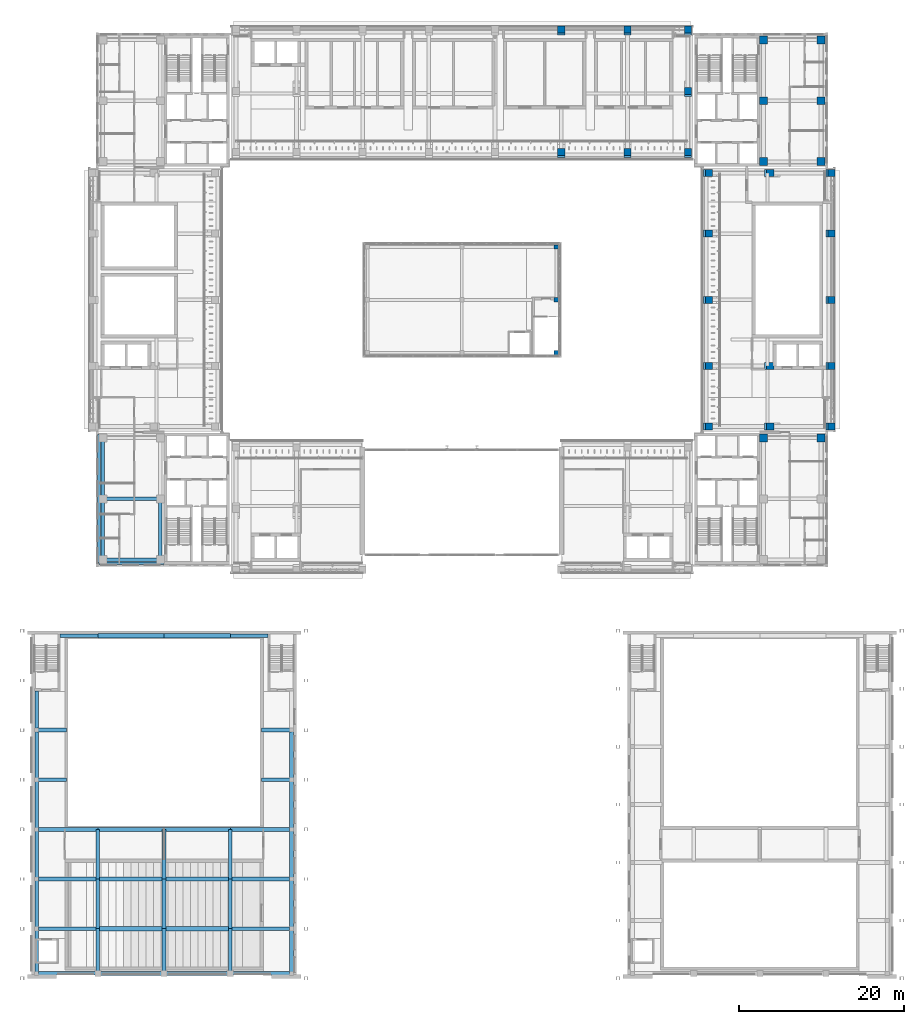
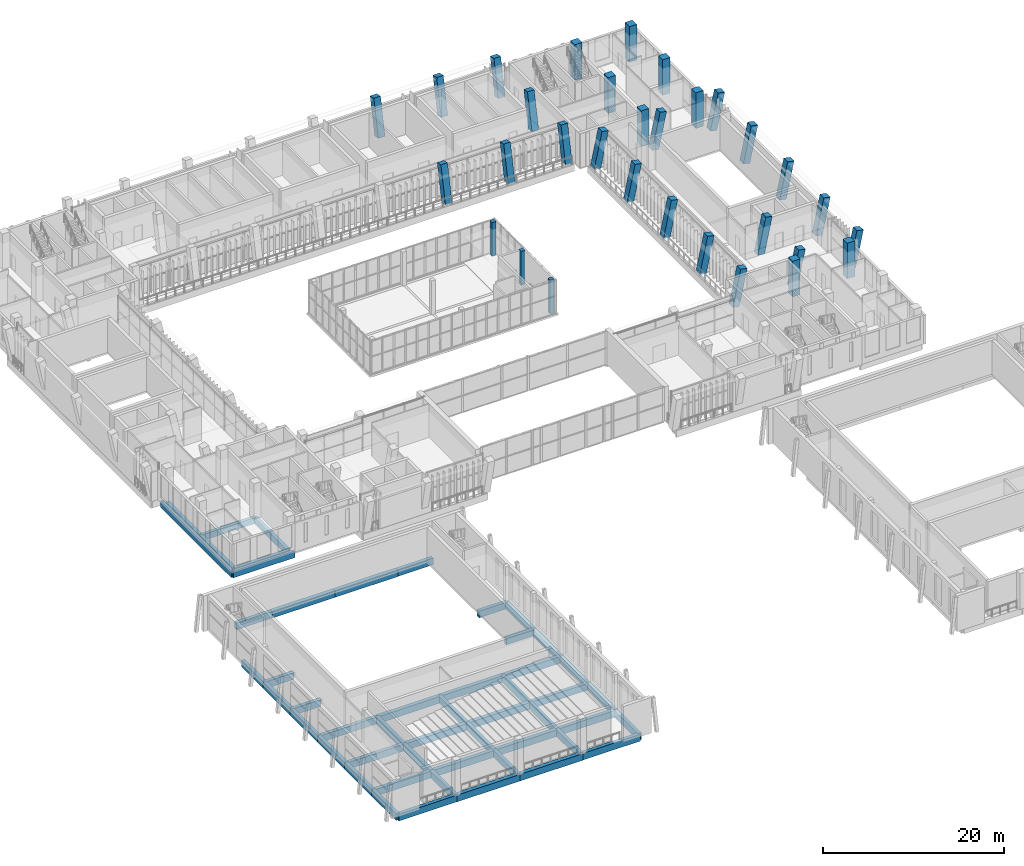
# One storey, part 5 of 92: 51 beams, 31 columns.
"""IFC4 building model written with IfcOpenShell, lengths in metres."""

from ifc_helpers import new_model, si_unit, direction, frame, origin, origin_2d, place, context, subcontext, project, spatial, rectangle, extrude, material, material_profile, profile_set, type_object, element, save


model = new_model("IFC4")

# Units and contexts
model_context = context("Model", 3, precision=1e-05, world=origin(), true_north=direction((0.0, 1.0)))
body_context = subcontext(model_context, "Body", "Model", "MODEL_VIEW")
ifc_project = project(units=[si_unit("LENGTHUNIT", "METRE"), si_unit("AREAUNIT", "SQUARE_METRE"), si_unit("VOLUMEUNIT", "CUBIC_METRE"), si_unit("PLANEANGLEUNIT", "RADIAN"), si_unit("MASSUNIT", "GRAM", prefix="KILO")], contexts=[model_context])

# Site, building, storey
site_placement = place(None, origin())
site = spatial("IfcSite", under=ifc_project, at=site_placement, CompositionType="ELEMENT")
building_placement = place(site_placement, origin())
building = spatial("IfcBuilding", under=site, at=building_placement, Name="Lantern Court Media Centre", CompositionType="ELEMENT")
storey_placement = place(building_placement, frame((0.0, 0.0, 4.800048828125)))
storey = spatial("IfcBuildingStorey", under=building, at=storey_placement, Name="L01", CompositionType="ELEMENT", Elevation=4.800048828125)

# Columns
ifc_material = material(Name="Concrete C35", Category="concrete")
ifc_material_profile_1 = material_profile(ifc_material, rectangle(XDim=0.5, YDim=0.5, at=origin_2d()), Name="RC 500x500")
ifc_profile_set_1 = profile_set([ifc_material_profile_1], Name="Concrete C35")
column_type_1 = type_object("IfcColumnType", Name="RC COLUMN 500x500", PredefinedType="COLUMN", material=ifc_profile_set_1)
for number, where, z_axis, x_axis, name in (
    (1, (63.39990234375, 73.60009765625, 0.0), (0.0, 0.0, 1.0), (1.0, 0.0, 0.0), "C-PRESS-20-L01"),
    (2, (63.39990234375, 80.0, 0.0), (0.0, 0.0, 1.0), (1.0, 0.0, 0.0), "C-PRESS-21-L01"),
    (3, (63.39990234375, 86.39990234375, 0.0), (0.0, 0.0, 1.0), (1.0, 0.0, 0.0), "C-PRESS-22-L01"),
):
    element("IfcColumn", number, at=place(storey_placement, frame(where, z_axis=z_axis, x_axis=x_axis)), inside=storey, type_object=column_type_1, Name=name, PredefinedType="COLUMN", context=body_context, shape_type="SweptSolid", body=[
        extrude(rectangle(XDim=0.5, YDim=0.5, at=origin_2d()), origin(), (0.0, 0.0, 1.0), 4.550048828125),
    ])
ifc_material_profile_2 = material_profile(ifc_material, rectangle(XDim=0.85009765625, YDim=0.85009765625, at=origin_2d()), Name="RC 850x850")
ifc_profile_set_2 = profile_set([ifc_material_profile_2], Name="Concrete C35")
column_type_2 = type_object("IfcColumnType", Name="RC COLUMN 850x850", PredefinedType="COLUMN", material=ifc_profile_set_2)
for number, where, z_axis, x_axis, name in (
    (4, (64.0, 97.60009765625, 0.0), (0.0, 0.203952265704, 0.978980833987), (-1.0, 0.0, 0.0), "C-N-0-5-L01"),
    (5, (72.0, 97.60009765625, 0.0), (0.0, 0.203952265704, 0.978980833987), (-1.0, 0.0, 0.0), "C-N-0-6-L01"),
    (6, (79.300048828125, 97.60009765625, 0.0), (0.0, 0.203952265704, 0.978980833987), (-1.0, 0.0, 0.0), "C-N-0-7-L01"),
    (7, (79.300048828125, 105.0, 0.0), (0.0, 0.203952265704, 0.978980833987), (-1.0, 0.0, 0.0), "C-N-1-7-L01"),
    (8, (64.0, 112.39990234375, 0.0), (0.0, 0.203952265704, 0.978980833987), (-1.0, 0.0, 0.0), "C-N-2-5-L01"),
    (9, (72.0, 112.39990234375, 0.0), (0.0, 0.203952265704, 0.978980833987), (-1.0, 0.0, 0.0), "C-N-2-6-L01"),
    (10, (79.300048828125, 112.39990234375, 0.0), (0.0, 0.203952265704, 0.978980833987), (-1.0, 0.0, 0.0), "C-N-2-7-L01"),
    (11, (81.60009765625, 64.699951171875, 0.0), (0.203952265704, 0.0, 0.978980833987), (0.0, 1.0, 0.0), "C-E-0-0-L01"),
    (12, (81.60009765625, 72.0, 0.0), (0.203952265704, 0.0, 0.978980833987), (0.0, 1.0, 0.0), "C-E-0-1-L01"),
    (13, (81.60009765625, 80.0, 0.0), (0.203952265704, 0.0, 0.978980833987), (0.0, 1.0, 0.0), "C-E-0-2-L01"),
    (14, (81.60009765625, 88.0, 0.0), (0.203952265704, 0.0, 0.978980833987), (0.0, 1.0, 0.0), "C-E-0-3-L01"),
    (15, (81.60009765625, 95.300048828125, 0.0), (0.203952265704, 0.0, 0.978980833987), (0.0, 1.0, 0.0), "C-E-0-4-L01"),
    (16, (89.0, 64.699951171875, 0.0), (0.203952265704, 0.0, 0.978980833987), (0.0, 1.0, 0.0), "C-E-1-0-L01"),
    (17, (89.0, 72.0, 0.0), (0.203952265704, 0.0, 0.978980833987), (0.0, 1.0, 0.0), "C-E-1-1-L01"),
    (18, (89.0, 95.300048828125, 0.0), (0.203952265704, 0.0, 0.978980833987), (0.0, 1.0, 0.0), "C-E-1-4-L01"),
    (19, (96.39990234375, 64.699951171875, 0.0), (0.203952265704, 0.0, 0.978980833987), (0.0, 1.0, 0.0), "C-E-2-0-L01"),
    (20, (96.39990234375, 72.0, 0.0), (0.203952265704, 0.0, 0.978980833987), (0.0, 1.0, 0.0), "C-E-2-1-L01"),
    (21, (96.39990234375, 80.0, 0.0), (0.203952265704, 0.0, 0.978980833987), (0.0, 1.0, 0.0), "C-E-2-2-L01"),
    (22, (96.39990234375, 88.0, 0.0), (0.203952265704, 0.0, 0.978980833987), (0.0, 1.0, 0.0), "C-E-2-3-L01"),
    (23, (96.39990234375, 95.300048828125, 0.0), (0.203952265704, 0.0, 0.978980833987), (0.0, 1.0, 0.0), "C-E-2-4-L01"),
):
    element("IfcColumn", number, at=place(storey_placement, frame(where, z_axis=z_axis, x_axis=x_axis)), inside=storey, type_object=column_type_2, Name=name, PredefinedType="COLUMN", context=body_context, shape_type="SweptSolid", body=[
        extrude(rectangle(XDim=0.85009765625, YDim=0.85009765625, at=origin_2d()), origin(), (0.0, 0.0, 1.0), 4.903076171875),
    ])
ifc_material_profile_3 = material_profile(ifc_material, rectangle(XDim=0.949951171875, YDim=0.949951171875, at=origin_2d()), Name="RC 950x950")
ifc_profile_set_3 = profile_set([ifc_material_profile_3], Name="Concrete C35")
column_type_3 = type_object("IfcColumnType", Name="RC COLUMN 950x950", PredefinedType="COLUMN", material=ifc_profile_set_3)
for number, where, z_axis, x_axis, name in (
    (24, (88.449951171875, 63.300048828125, 0.0), (0.0, 0.0, 1.0), (1.0, 0.0, 0.0), "C-SE-2-L01"),
    (25, (95.39990234375, 63.300048828125, 0.0), (0.0, 0.0, 1.0), (1.0, 0.0, 0.0), "C-SE-5-L01"),
    (26, (88.449951171875, 96.699951171875, 0.0), (0.0, 0.0, 1.0), (1.0, 0.0, 0.0), "C-NE-0-L01"),
    (27, (88.449951171875, 104.050048828125, 0.0), (0.0, 0.0, 1.0), (1.0, 0.0, 0.0), "C-NE-1-L01"),
    (28, (88.449951171875, 111.39990234375, 0.0), (0.0, 0.0, 1.0), (1.0, 0.0, 0.0), "C-NE-2-L01"),
    (29, (95.39990234375, 96.699951171875, 0.0), (0.0, 0.0, 1.0), (1.0, 0.0, 0.0), "C-NE-3-L01"),
    (30, (95.39990234375, 104.050048828125, 0.0), (0.0, 0.0, 1.0), (1.0, 0.0, 0.0), "C-NE-4-L01"),
    (31, (95.39990234375, 111.39990234375, 0.0), (0.0, 0.0, 1.0), (1.0, 0.0, 0.0), "C-NE-5-L01"),
):
    element("IfcColumn", number, at=place(storey_placement, frame(where, z_axis=z_axis, x_axis=x_axis)), inside=storey, type_object=column_type_3, Name=name, PredefinedType="COLUMN", context=body_context, shape_type="SweptSolid", body=[
        extrude(rectangle(XDim=0.949951171875, YDim=0.949951171875, at=origin_2d()), origin(), (0.0, 0.0, 1.0), 4.800048828125),
    ])

# Beams
ifc_material_profile_4 = material_profile(ifc_material, rectangle(XDim=0.300048828125, YDim=0.89990234375, at=origin_2d()), Name="RC 300x900")
ifc_profile_set_4 = profile_set([ifc_material_profile_4], Name="Concrete C35")
beam_type_1 = type_object("IfcBeamType", Name="RC BEAM 300x900", PredefinedType="BEAM", material=ifc_profile_set_4)
beam_1_placement = place(storey_placement, frame((8.14990234375, 48.14990234375, -0.449951171875), z_axis=(1.0, 0.0, 0.0), x_axis=(0.0, 1.0, 0.0)))
element("IfcBeam", 32, at=beam_1_placement, inside=storey, type_object=beam_type_1, Name="EB-SW-L01-S", PredefinedType="BEAM", context=body_context, shape_type="SweptSolid", body=[
    extrude(rectangle(XDim=0.300048828125, YDim=0.89990234375, at=origin_2d()), origin(), (0.0, 0.0, 1.0), 7.830078125),
])
ifc_material_profile_5 = material_profile(ifc_material, rectangle(XDim=0.35009765625, YDim=0.89990234375, at=origin_2d()), Name="RC 350x900")
ifc_profile_set_5 = profile_set([ifc_material_profile_5], Name="Concrete C35")
beam_type_2 = type_object("IfcBeamType", Name="RC BEAM 350x900", PredefinedType="BEAM", material=ifc_profile_set_5)
beam_2_placement = place(storey_placement, frame((8.14990234375, 48.14990234375, -0.449951171875), z_axis=(0.0, 1.0, 0.0), x_axis=(-1.0, 0.0, 0.0)))
element("IfcBeam", 33, at=beam_2_placement, inside=storey, type_object=beam_type_2, Name="EB-SW-L01-W", PredefinedType="BEAM", context=body_context, shape_type="SweptSolid", body=[
    extrude(rectangle(XDim=0.35009765625, YDim=0.89990234375, at=origin_2d()), origin(), (0.0, 0.0, 1.0), 15.60009765625),
])
ifc_material_profile_6 = material_profile(ifc_material, rectangle(XDim=0.39990234375, YDim=0.800048828125, at=origin_2d()), Name="RC 400x800")
ifc_profile_set_6 = profile_set([ifc_material_profile_6], Name="Concrete C35")
beam_type_3 = type_object("IfcBeamType", Name="RC BEAM 400x800", PredefinedType="BEAM", material=ifc_profile_set_6)
for number, where, z_axis, x_axis, name in (
    (34, (8.60009765625, 48.60009765625, -0.400146484375), (1.0, 0.0, 0.0), (0.0, 1.0, 0.0), "BB-SW-L01-Y0-48"),
    (35, (8.60009765625, 55.949951171875, -0.400146484375), (1.0, 0.0, 0.0), (0.0, 1.0, 0.0), "BB-SW-L01-Y0-55"),
):
    element("IfcBeam", number, at=place(storey_placement, frame(where, z_axis=z_axis, x_axis=x_axis)), inside=storey, type_object=beam_type_3, Name=name, PredefinedType="BEAM", context=body_context, shape_type="SweptSolid", body=[
        extrude(rectangle(XDim=0.39990234375, YDim=0.800048828125, at=origin_2d()), origin(), (0.0, 0.0, 1.0), 6.949951171875),
    ])
ifc_material_profile_7 = material_profile(ifc_material, rectangle(XDim=0.449951171875, YDim=0.800048828125, at=origin_2d()), Name="RC 450x800")
ifc_profile_set_7 = profile_set([ifc_material_profile_7], Name="Concrete C35")
beam_type_4 = type_object("IfcBeamType", Name="RC BEAM 450x800", PredefinedType="BEAM", material=ifc_profile_set_7)
beam_3_placement = place(storey_placement, frame((8.60009765625, 48.60009765625, -0.400146484375), z_axis=(0.0, 1.0, 0.0), x_axis=(-1.0, 0.0, 0.0)))
element("IfcBeam", 36, at=beam_3_placement, inside=storey, type_object=beam_type_4, Name="BB-SW-L01-X0-8", PredefinedType="BEAM", context=body_context, shape_type="SweptSolid", body=[
    extrude(rectangle(XDim=0.449951171875, YDim=0.800048828125, at=origin_2d()), origin(), (0.0, 0.0, 1.0), 7.349853515625),
])
beam_4_placement = place(storey_placement, frame((8.60009765625, 55.949951171875, -0.400146484375), z_axis=(0.0, 1.0, 0.0), x_axis=(-1.0, 0.0, 0.0)))
element("IfcBeam", 37, at=beam_4_placement, inside=storey, type_object=beam_type_4, Name="BB-SW-L01-X1-8", PredefinedType="BEAM", context=body_context, shape_type="SweptSolid", body=[
    extrude(rectangle(XDim=0.449951171875, YDim=0.800048828125, at=origin_2d()), origin(), (0.0, 0.0, 1.0), 7.35009765625),
])
beam_5_placement = place(storey_placement, frame((15.550048828125, 48.60009765625, -0.400146484375), z_axis=(0.0, 1.0, 0.0), x_axis=(-1.0, 0.0, 0.0)))
element("IfcBeam", 38, at=beam_5_placement, inside=storey, type_object=beam_type_4, Name="BB-SW-L01-X0-15", PredefinedType="BEAM", context=body_context, shape_type="SweptSolid", body=[
    extrude(rectangle(XDim=0.449951171875, YDim=0.800048828125, at=origin_2d()), origin(), (0.0, 0.0, 1.0), 7.349853515625),
])
ifc_material_profile_8 = material_profile(ifc_material, rectangle(XDim=0.449951171875, YDim=0.89990234375, at=origin_2d()), Name="RC 450x900")
ifc_profile_set_8 = profile_set([ifc_material_profile_8], Name="Concrete C35")
beam_type_5 = type_object("IfcBeamType", Name="RC BEAM 450x900", PredefinedType="BEAM", material=ifc_profile_set_8)
for number, where, z_axis, x_axis, name in (
    (39, (0.60009765625, -1.39990234375, -0.449951171875), (1.0, 0.0, 0.0), (0.0, 1.0, 0.0), "HB-V1-L01-FX0-0"),
    (40, (24.0, -1.39990234375, -0.449951171875), (1.0, 0.0, 0.0), (0.0, 1.0, 0.0), "HB-V1-L01-FX0-3"),
    (41, (0.60009765625, 4.0, -0.449951171875), (1.0, 0.0, 0.0), (0.0, 1.0, 0.0), "HB-V1-L01-FX1-0"),
    (42, (24.0, 4.0, -0.449951171875), (1.0, 0.0, 0.0), (0.0, 1.0, 0.0), "HB-V1-L01-FX1-3"),
    (43, (0.60009765625, 10.0, -0.449951171875), (1.0, 0.0, 0.0), (0.0, 1.0, 0.0), "HB-V1-L01-FX2-0"),
    (44, (24.0, 10.0, -0.449951171875), (1.0, 0.0, 0.0), (0.0, 1.0, 0.0), "HB-V1-L01-FX2-3"),
    (45, (0.60009765625, 16.0, -0.449951171875), (1.0, 0.0, 0.0), (0.0, 1.0, 0.0), "HB-V1-L01-FX3-0"),
    (46, (24.0, 16.0, -0.449951171875), (1.0, 0.0, 0.0), (0.0, 1.0, 0.0), "HB-V1-L01-FX3-3"),
):
    element("IfcBeam", number, at=place(storey_placement, frame(where, z_axis=z_axis, x_axis=x_axis)), inside=storey, type_object=beam_type_5, Name=name, PredefinedType="BEAM", context=body_context, shape_type="SweptSolid", body=[
        extrude(rectangle(XDim=0.449951171875, YDim=0.89990234375, at=origin_2d()), origin(), (0.0, 0.0, 1.0), 7.39990234375),
    ])
for number, where, z_axis, x_axis, name in (
    (47, (0.60009765625, 22.0, -0.449951171875), (1.0, 0.0, 0.0), (0.0, 1.0, 0.0), "HB-V1-L01-FX4-0"),
    (48, (27.800048828125, 22.0, -0.449951171875), (1.0, 0.0, 0.0), (0.0, 1.0, 0.0), "HB-V1-L01-FX4-3"),
    (49, (0.60009765625, 28.0, -0.449951171875), (1.0, 0.0, 0.0), (0.0, 1.0, 0.0), "HB-V1-L01-FX5-0"),
    (50, (27.800048828125, 28.0, -0.449951171875), (1.0, 0.0, 0.0), (0.0, 1.0, 0.0), "HB-V1-L01-FX5-3"),
):
    element("IfcBeam", number, at=place(storey_placement, frame(where, z_axis=z_axis, x_axis=x_axis)), inside=storey, type_object=beam_type_5, Name=name, PredefinedType="BEAM", context=body_context, shape_type="SweptSolid", body=[
        extrude(rectangle(XDim=0.449951171875, YDim=0.89990234375, at=origin_2d()), origin(), (0.0, 0.0, 1.0), 3.599853515625),
    ])
for number, where, z_axis, x_axis, name in (
    (51, (3.449951171875, 39.39990234375, -0.449951171875), (1.0, 0.0, 0.0), (0.0, 1.0, 0.0), "HB-V1-L01-FX7-0"),
    (52, (24.0, 39.39990234375, -0.449951171875), (1.0, 0.0, 0.0), (0.0, 1.0, 0.0), "HB-V1-L01-FX7-3"),
):
    element("IfcBeam", number, at=place(storey_placement, frame(where, z_axis=z_axis, x_axis=x_axis)), inside=storey, type_object=beam_type_5, Name=name, PredefinedType="BEAM", context=body_context, shape_type="SweptSolid", body=[
        extrude(rectangle(XDim=0.449951171875, YDim=0.89990234375, at=origin_2d()), origin(), (0.0, 0.0, 1.0), 4.550048828125),
    ])
beam_6_placement = place(storey_placement, frame((0.60009765625, -1.39990234375, -0.449951171875), z_axis=(0.0, 1.0, 0.0), x_axis=(-1.0, 0.0, 0.0)))
element("IfcBeam", 53, at=beam_6_placement, inside=storey, type_object=beam_type_5, Name="HB-V1-L01-FY0-0", PredefinedType="BEAM", context=body_context, shape_type="SweptSolid", body=[
    extrude(rectangle(XDim=0.449951171875, YDim=0.89990234375, at=origin_2d()), origin(), (0.0, 0.0, 1.0), 5.39990234375),
])
for number, where, z_axis, x_axis, name in (
    (54, (0.60009765625, 4.0, -0.449951171875), (0.0, 1.0, 0.0), (-1.0, 0.0, 0.0), "HB-V1-L01-FY0-1"),
    (55, (0.60009765625, 10.0, -0.449951171875), (0.0, 1.0, 0.0), (-1.0, 0.0, 0.0), "HB-V1-L01-FY0-2"),
    (56, (0.60009765625, 16.0, -0.449951171875), (0.0, 1.0, 0.0), (-1.0, 0.0, 0.0), "HB-V1-L01-FY0-3"),
    (57, (0.60009765625, 22.0, -0.449951171875), (0.0, 1.0, 0.0), (-1.0, 0.0, 0.0), "HB-V1-L01-FY0-4"),
):
    element("IfcBeam", number, at=place(storey_placement, frame(where, z_axis=z_axis, x_axis=x_axis)), inside=storey, type_object=beam_type_5, Name=name, PredefinedType="BEAM", context=body_context, shape_type="SweptSolid", body=[
        extrude(rectangle(XDim=0.449951171875, YDim=0.89990234375, at=origin_2d()), origin(), (0.0, 0.0, 1.0), 6.0),
    ])
beam_7_placement = place(storey_placement, frame((0.60009765625, 28.0, -0.449951171875), z_axis=(0.0, 1.0, 0.0), x_axis=(-1.0, 0.0, 0.0)))
element("IfcBeam", 58, at=beam_7_placement, inside=storey, type_object=beam_type_5, Name="HB-V1-L01-FY0-5", PredefinedType="BEAM", context=body_context, shape_type="SweptSolid", body=[
    extrude(rectangle(XDim=0.449951171875, YDim=0.89990234375, at=origin_2d()), origin(), (0.0, 0.0, 1.0), 4.75),
])
beam_8_placement = place(storey_placement, frame((8.0, -1.39990234375, -0.449951171875), z_axis=(0.0, 1.0, 0.0), x_axis=(-1.0, 0.0, 0.0)))
element("IfcBeam", 59, at=beam_8_placement, inside=storey, type_object=beam_type_5, Name="HB-V1-L01-FY1-0", PredefinedType="BEAM", context=body_context, shape_type="SweptSolid", body=[
    extrude(rectangle(XDim=0.449951171875, YDim=0.89990234375, at=origin_2d()), origin(), (0.0, 0.0, 1.0), 5.39990234375),
])
for number, where, z_axis, x_axis, name in (
    (60, (8.0, 4.0, -0.449951171875), (0.0, 1.0, 0.0), (-1.0, 0.0, 0.0), "HB-V1-L01-FY1-1"),
    (61, (8.0, 10.0, -0.449951171875), (0.0, 1.0, 0.0), (-1.0, 0.0, 0.0), "HB-V1-L01-FY1-2"),
):
    element("IfcBeam", number, at=place(storey_placement, frame(where, z_axis=z_axis, x_axis=x_axis)), inside=storey, type_object=beam_type_5, Name=name, PredefinedType="BEAM", context=body_context, shape_type="SweptSolid", body=[
        extrude(rectangle(XDim=0.449951171875, YDim=0.89990234375, at=origin_2d()), origin(), (0.0, 0.0, 1.0), 6.0),
    ])
beam_9_placement = place(storey_placement, frame((16.0, -1.39990234375, -0.449951171875), z_axis=(0.0, 1.0, 0.0), x_axis=(-1.0, 0.0, 0.0)))
element("IfcBeam", 62, at=beam_9_placement, inside=storey, type_object=beam_type_5, Name="HB-V1-L01-FY2-0", PredefinedType="BEAM", context=body_context, shape_type="SweptSolid", body=[
    extrude(rectangle(XDim=0.449951171875, YDim=0.89990234375, at=origin_2d()), origin(), (0.0, 0.0, 1.0), 5.39990234375),
])
for number, where, z_axis, x_axis, name in (
    (63, (16.0, 4.0, -0.449951171875), (0.0, 1.0, 0.0), (-1.0, 0.0, 0.0), "HB-V1-L01-FY2-1"),
    (64, (16.0, 10.0, -0.449951171875), (0.0, 1.0, 0.0), (-1.0, 0.0, 0.0), "HB-V1-L01-FY2-2"),
):
    element("IfcBeam", number, at=place(storey_placement, frame(where, z_axis=z_axis, x_axis=x_axis)), inside=storey, type_object=beam_type_5, Name=name, PredefinedType="BEAM", context=body_context, shape_type="SweptSolid", body=[
        extrude(rectangle(XDim=0.449951171875, YDim=0.89990234375, at=origin_2d()), origin(), (0.0, 0.0, 1.0), 6.0),
    ])
beam_10_placement = place(storey_placement, frame((24.0, -1.39990234375, -0.449951171875), z_axis=(0.0, 1.0, 0.0), x_axis=(-1.0, 0.0, 0.0)))
element("IfcBeam", 65, at=beam_10_placement, inside=storey, type_object=beam_type_5, Name="HB-V1-L01-FY3-0", PredefinedType="BEAM", context=body_context, shape_type="SweptSolid", body=[
    extrude(rectangle(XDim=0.449951171875, YDim=0.89990234375, at=origin_2d()), origin(), (0.0, 0.0, 1.0), 5.39990234375),
])
for number, where, z_axis, x_axis, name in (
    (66, (24.0, 4.0, -0.449951171875), (0.0, 1.0, 0.0), (-1.0, 0.0, 0.0), "HB-V1-L01-FY3-1"),
    (67, (24.0, 10.0, -0.449951171875), (0.0, 1.0, 0.0), (-1.0, 0.0, 0.0), "HB-V1-L01-FY3-2"),
):
    element("IfcBeam", number, at=place(storey_placement, frame(where, z_axis=z_axis, x_axis=x_axis)), inside=storey, type_object=beam_type_5, Name=name, PredefinedType="BEAM", context=body_context, shape_type="SweptSolid", body=[
        extrude(rectangle(XDim=0.449951171875, YDim=0.89990234375, at=origin_2d()), origin(), (0.0, 0.0, 1.0), 6.0),
    ])
beam_11_placement = place(storey_placement, frame((31.39990234375, -1.39990234375, -0.449951171875), z_axis=(0.0, 1.0, 0.0), x_axis=(-1.0, 0.0, 0.0)))
element("IfcBeam", 68, at=beam_11_placement, inside=storey, type_object=beam_type_5, Name="HB-V1-L01-FY4-0", PredefinedType="BEAM", context=body_context, shape_type="SweptSolid", body=[
    extrude(rectangle(XDim=0.449951171875, YDim=0.89990234375, at=origin_2d()), origin(), (0.0, 0.0, 1.0), 5.39990234375),
])
for number, where, z_axis, x_axis, name in (
    (69, (31.39990234375, 4.0, -0.449951171875), (0.0, 1.0, 0.0), (-1.0, 0.0, 0.0), "HB-V1-L01-FY4-1"),
    (70, (31.39990234375, 10.0, -0.449951171875), (0.0, 1.0, 0.0), (-1.0, 0.0, 0.0), "HB-V1-L01-FY4-2"),
    (71, (31.39990234375, 16.0, -0.449951171875), (0.0, 1.0, 0.0), (-1.0, 0.0, 0.0), "HB-V1-L01-FY4-3"),
    (72, (31.39990234375, 22.0, -0.449951171875), (0.0, 1.0, 0.0), (-1.0, 0.0, 0.0), "HB-V1-L01-FY4-4"),
):
    element("IfcBeam", number, at=place(storey_placement, frame(where, z_axis=z_axis, x_axis=x_axis)), inside=storey, type_object=beam_type_5, Name=name, PredefinedType="BEAM", context=body_context, shape_type="SweptSolid", body=[
        extrude(rectangle(XDim=0.449951171875, YDim=0.89990234375, at=origin_2d()), origin(), (0.0, 0.0, 1.0), 6.0),
    ])
ifc_material_profile_9 = material_profile(ifc_material, rectangle(XDim=0.5, YDim=0.89990234375, at=origin_2d()), Name="RC 500x900")
ifc_profile_set_9 = profile_set([ifc_material_profile_9], Name="Concrete C35")
beam_type_6 = type_object("IfcBeamType", Name="RC BEAM 500x900", PredefinedType="BEAM", material=ifc_profile_set_9)
for number, where, z_axis, x_axis, name in (
    (73, (8.0, -1.39990234375, -0.449951171875), (1.0, 0.0, 0.0), (0.0, 1.0, 0.0), "HB-V1-L01-FX0-1"),
    (74, (16.0, -1.39990234375, -0.449951171875), (1.0, 0.0, 0.0), (0.0, 1.0, 0.0), "HB-V1-L01-FX0-2"),
    (75, (8.0, 4.0, -0.449951171875), (1.0, 0.0, 0.0), (0.0, 1.0, 0.0), "HB-V1-L01-FX1-1"),
    (76, (16.0, 4.0, -0.449951171875), (1.0, 0.0, 0.0), (0.0, 1.0, 0.0), "HB-V1-L01-FX1-2"),
    (77, (8.0, 10.0, -0.449951171875), (1.0, 0.0, 0.0), (0.0, 1.0, 0.0), "HB-V1-L01-FX2-1"),
    (78, (16.0, 10.0, -0.449951171875), (1.0, 0.0, 0.0), (0.0, 1.0, 0.0), "HB-V1-L01-FX2-2"),
    (79, (8.0, 16.0, -0.449951171875), (1.0, 0.0, 0.0), (0.0, 1.0, 0.0), "HB-V1-L01-FX3-1"),
    (80, (16.0, 16.0, -0.449951171875), (1.0, 0.0, 0.0), (0.0, 1.0, 0.0), "HB-V1-L01-FX3-2"),
    (81, (8.0, 39.39990234375, -0.449951171875), (1.0, 0.0, 0.0), (0.0, 1.0, 0.0), "HB-V1-L01-FX7-1"),
    (82, (16.0, 39.39990234375, -0.449951171875), (1.0, 0.0, 0.0), (0.0, 1.0, 0.0), "HB-V1-L01-FX7-2"),
):
    element("IfcBeam", number, at=place(storey_placement, frame(where, z_axis=z_axis, x_axis=x_axis)), inside=storey, type_object=beam_type_6, Name=name, PredefinedType="BEAM", context=body_context, shape_type="SweptSolid", body=[
        extrude(rectangle(XDim=0.5, YDim=0.89990234375, at=origin_2d()), origin(), (0.0, 0.0, 1.0), 8.0),
    ])

save(model, "model.ifc")
